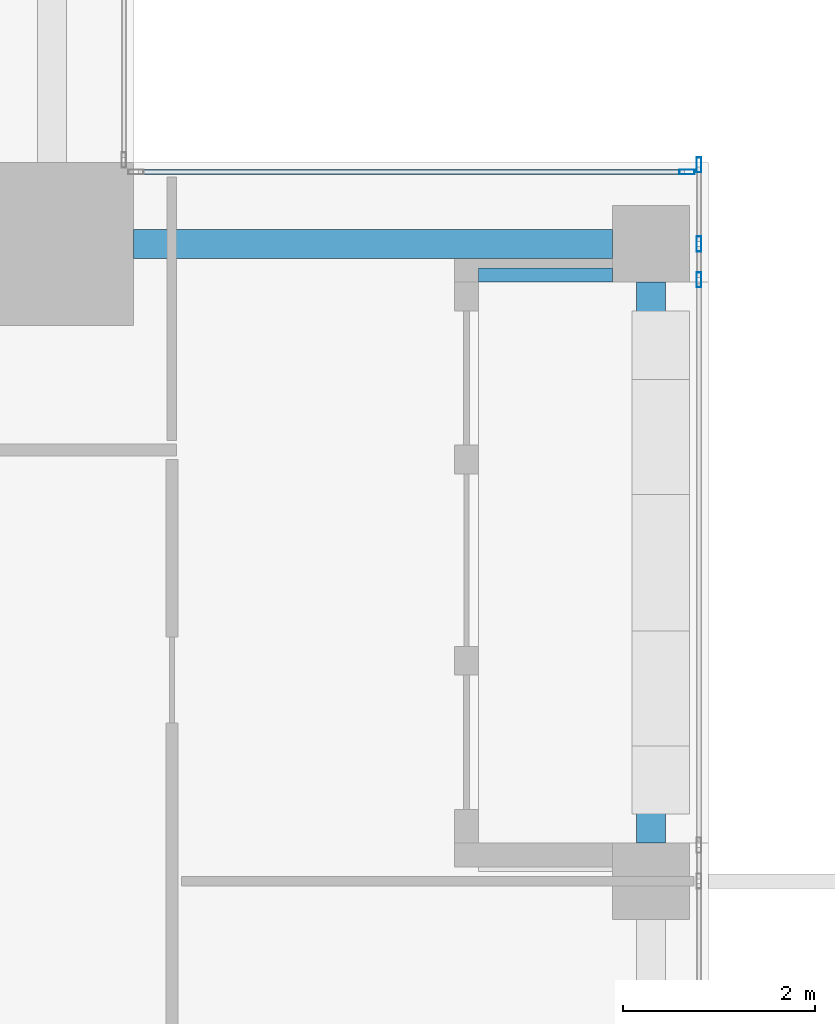
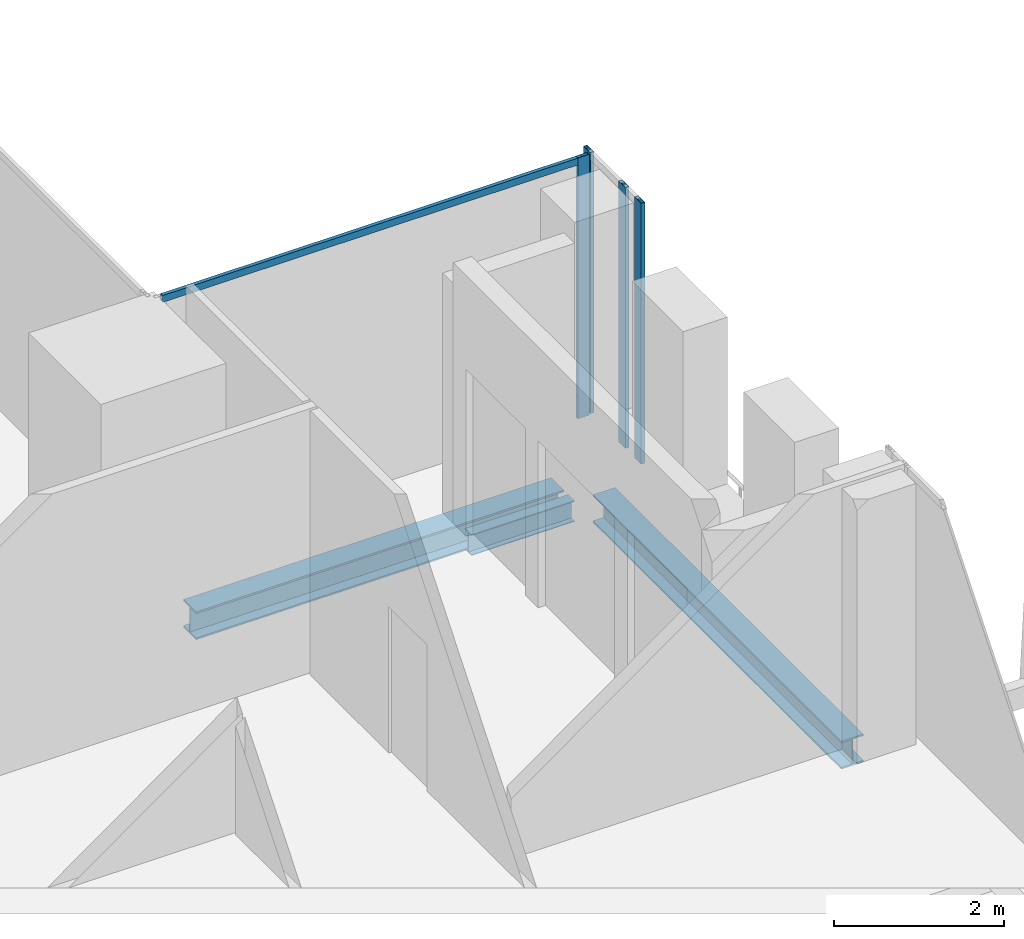
# One storey, part 18 of 33: 5 members, 3 beams, 2 elements without a shape of their own.
"""IFC4 building model written with IfcOpenShell, lengths in metres."""

from ifc_helpers import new_model, si_unit, direction, frame, origin, origin_2d, place, context, subcontext, project, spatial, hollow_rectangle, i_section, extrude, source, transform, mapped, material, material_profile, profile_set, type_object, element, aggregate, save


model = new_model("IFC4")

# Units and contexts
model_context = context("Model", 3, precision=1e-05, world=origin(), true_north=direction((0.0, 1.0)))
body_context = subcontext(model_context, "Body", "Model", "MODEL_VIEW")
ifc_project = project(units=[si_unit("LENGTHUNIT", "METRE"), si_unit("AREAUNIT", "SQUARE_METRE"), si_unit("VOLUMEUNIT", "CUBIC_METRE"), si_unit("PLANEANGLEUNIT", "RADIAN"), si_unit("MASSUNIT", "GRAM", prefix="KILO")], contexts=[model_context])

# Site, building, storey
site_placement = place(None, origin())
site = spatial("IfcSite", under=ifc_project, at=site_placement, CompositionType="ELEMENT")
building_placement = place(site_placement, origin())
building = spatial("IfcBuilding", under=site, at=building_placement, Name="Khomas Fold Tower", CompositionType="ELEMENT")
storey_placement = place(building_placement, frame((0.0, 0.0, 294.199951171875)))
storey = spatial("IfcBuildingStorey", under=building, at=storey_placement, Name="L66", CompositionType="ELEMENT", Elevation=294.199951171875)

# Beams
ifc_material_1 = material(Name="Steel S355", Category="steel")
ifc_material_profile_1 = material_profile(ifc_material_1, i_section(OverallWidth=0.300048828125, OverallDepth=0.39990234375, WebThickness=0.013427734375, FlangeThickness=0.02392578125, at=origin_2d()), Name="HE 400 B")
ifc_profile_set_1 = profile_set([ifc_material_profile_1], Name="Steel S355")
beam_type_1 = type_object("IfcBeamType", Name="HE 400 B spandrel SB5", PredefinedType="SPANDREL", material=ifc_profile_set_1)
shared_shape_1 = source(origin(), body_context, "Body", "SweptSolid", [
    extrude(i_section(OverallWidth=0.300048828125, OverallDepth=0.39990234375, WebThickness=0.013427734375, FlangeThickness=0.02392578125, at=origin_2d()), origin(), (0.0, 0.0, 1.0), 5.85009765625),
])
beam_1_placement = place(storey_placement, frame((47.39990234375, 34.89990234375, -0.449951171875), z_axis=(0.0, 1.0, 0.0), x_axis=(-1.0, 0.0, 0.0)))
element("IfcBeam", 1, at=beam_1_placement, inside=storey, type_object=beam_type_1, Name="SB5", PredefinedType="SPANDREL", context=body_context, shape_type="MappedRepresentation", body=[
    mapped(shared_shape_1, transform((0.0, 0.0, 0.0))),
])
shared_shape_2 = source(origin(), body_context, "Body", "SweptSolid", [
    extrude(i_section(OverallWidth=0.300048828125, OverallDepth=0.39990234375, WebThickness=0.013427734375, FlangeThickness=0.02392578125, at=origin_2d()), origin(), (0.0, 0.0, 1.0), 5.0),
])
beam_2_placement = place(storey_placement, frame((42.0, 41.14990234375, -0.449951171875), z_axis=(1.0, 0.0, 0.0), x_axis=(0.0, 1.0, 0.0)))
element("IfcBeam", 2, at=beam_2_placement, inside=storey, type_object=beam_type_1, Name="SB5", PredefinedType="SPANDREL", context=body_context, shape_type="MappedRepresentation", body=[
    mapped(shared_shape_2, transform((0.0, 0.0, 0.0))),
])
ifc_material_2 = material(Name="Steel S355", Category="steel")
ifc_material_profile_2 = material_profile(ifc_material_2, i_section(OverallWidth=0.14990234375, OverallDepth=0.300048828125, WebThickness=0.007080078125, FlangeThickness=0.0107421875, at=origin_2d()), Name="IPE 300")
ifc_profile_set_2 = profile_set([ifc_material_profile_2], Name="Steel S355")
beam_type_2 = type_object("IfcBeamType", Name="IPE 300 beam BB2", PredefinedType="BEAM", material=ifc_profile_set_2)
shared_shape_3 = source(origin(), body_context, "Body", "SweptSolid", [
    extrude(i_section(OverallWidth=0.14990234375, OverallDepth=0.300048828125, WebThickness=0.007080078125, FlangeThickness=0.0107421875, at=origin_2d()), origin(), (0.0, 0.0, 1.0), 1.39990234375),
])
beam_3_placement = place(storey_placement, frame((45.60009765625, 40.824951171875, -0.39990234375), z_axis=(1.0, 0.0, 0.0), x_axis=(0.0, 1.0, 0.0)))
element("IfcBeam", 3, at=beam_3_placement, inside=storey, type_object=beam_type_2, Name="BB2", PredefinedType="BEAM", context=body_context, shape_type="MappedRepresentation", body=[
    mapped(shared_shape_3, transform((0.0, 0.0, 0.0))),
])

# Curtain wall, members
ifc_material_3 = material(Name="Aluminium framed double glazing", Category="aluminium")
curtain_wall_type = type_object("IfcCurtainWallType", Name="SK-Unitised clear-glass wall, upper floors CW3", PredefinedType="NOTDEFINED", material=ifc_material_3)
curtain_wall_1_placement = place(storey_placement, origin())
curtain_wall_1 = element("IfcCurtainWall", 4, at=curtain_wall_1_placement, inside=storey, type_object=curtain_wall_type, Name="CW3 run L66 03-1", PredefinedType="NOTDEFINED")
ifc_material_4 = material(Name="Aluminium", Category="aluminium")
ifc_material_profile_3 = material_profile(ifc_material_4, hollow_rectangle(XDim=0.050048828125, YDim=0.159912109375, WallThickness=0.00390625, at=origin_2d()), Name="SK-Unitised clear-glass wall, upper floors mullion CW3-M")
ifc_profile_set_3 = profile_set([ifc_material_profile_3], Name="Aluminium")
member_type_1 = type_object("IfcMemberType", Name="SK-Unitised clear-glass wall, upper floors mullion CW3-M", PredefinedType="MULLION", material=ifc_profile_set_3)
shared_shape_4 = source(origin(), body_context, "Body", "SweptSolid", [
    extrude(hollow_rectangle(XDim=0.050048828125, YDim=0.159912109375, WallThickness=0.00390625, at=origin_2d()), origin(), (0.0, 0.0, 1.0), 3.75),
])
member_1_placement = place(storey_placement, frame((47.89990234375, 40.77490234375, 0.0), z_axis=(0.0, 0.0, 1.0), x_axis=(-1.0, 0.0, 0.0)))
member_1 = element("IfcMember", 5, at=member_1_placement, type_object=member_type_1, Name="CW3 mullion 1", PredefinedType="MULLION", context=body_context, shape_type="MappedRepresentation", body=[
    mapped(shared_shape_4, transform((0.0, 0.0, 0.0))),
])
member_2_placement = place(storey_placement, frame((47.89990234375, 41.14990234375, 0.0), z_axis=(0.0, 0.0, 1.0), x_axis=(-1.0, 0.0, 0.0)))
member_2 = element("IfcMember", 6, at=member_2_placement, type_object=member_type_1, Name="CW3 mullion 2", PredefinedType="MULLION", context=body_context, shape_type="MappedRepresentation", body=[
    mapped(shared_shape_4, transform((0.0, 0.0, 0.0))),
])
member_3_placement = place(storey_placement, frame((47.89990234375, 41.97509765625, 0.0), z_axis=(0.0, 0.0, 1.0), x_axis=(-1.0, 0.0, 0.0)))
member_3 = element("IfcMember", 7, at=member_3_placement, type_object=member_type_1, Name="CW3 mullion 3", PredefinedType="MULLION", context=body_context, shape_type="MappedRepresentation", body=[
    mapped(shared_shape_4, transform((0.0, 0.0, 0.0))),
])
aggregate(curtain_wall_1, [member_1, member_2, member_3])

curtain_wall_2_placement = place(storey_placement, origin())
curtain_wall_2 = element("IfcCurtainWall", 8, at=curtain_wall_2_placement, inside=storey, type_object=curtain_wall_type, Name="CW3 corner return L66 04", PredefinedType="NOTDEFINED")
member_4_placement = place(storey_placement, frame((47.77490234375, 41.89990234375, 0.0), z_axis=(0.0, 0.0, 1.0), x_axis=(0.0, -1.0, 0.0)))
member_4 = element("IfcMember", 9, at=member_4_placement, type_object=member_type_1, Name="CW3 mullion 1", PredefinedType="MULLION", context=body_context, shape_type="MappedRepresentation", body=[
    mapped(shared_shape_4, transform((0.0, 0.0, 0.0))),
])
ifc_material_5 = material(Name="Aluminium", Category="aluminium")
ifc_material_profile_4 = material_profile(ifc_material_5, hollow_rectangle(XDim=0.050048828125, YDim=0.10009765625, WallThickness=0.00390625, at=origin_2d()), Name="SK-Unitised clear-glass wall, upper floors transom CW3-T")
ifc_profile_set_4 = profile_set([ifc_material_profile_4], Name="Aluminium")
member_type_2 = type_object("IfcMemberType", Name="SK-Unitised clear-glass wall, upper floors transom CW3-T", PredefinedType="USERDEFINED", material=ifc_profile_set_4)
shared_shape_5 = source(origin(), body_context, "Body", "SweptSolid", [
    extrude(hollow_rectangle(XDim=0.050048828125, YDim=0.10009765625, WallThickness=0.00390625, at=origin_2d()), origin(), (0.0, 0.0, 1.0), 5.699951171875),
])
member_5_placement = place(storey_placement, frame((47.75, 41.89990234375, 3.699951171875), z_axis=(-1.0, 0.0, 0.0), x_axis=(0.0, -1.0, 0.0)))
member_5 = element("IfcMember", 10, at=member_5_placement, type_object=member_type_2, Name="CW3 transom 1", ObjectType="TRANSOM", PredefinedType="USERDEFINED", context=body_context, shape_type="MappedRepresentation", body=[
    mapped(shared_shape_5, transform((0.0, 0.0, 0.0))),
])
aggregate(curtain_wall_2, [member_4, member_5])

save(model, "model.ifc")
